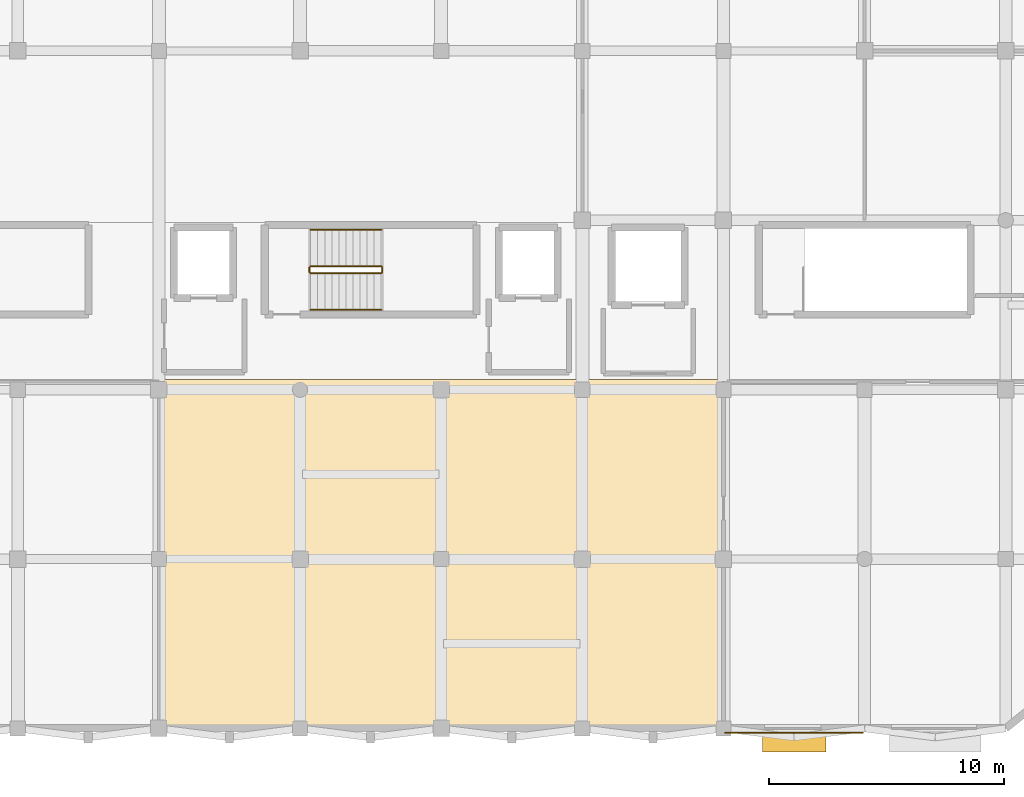
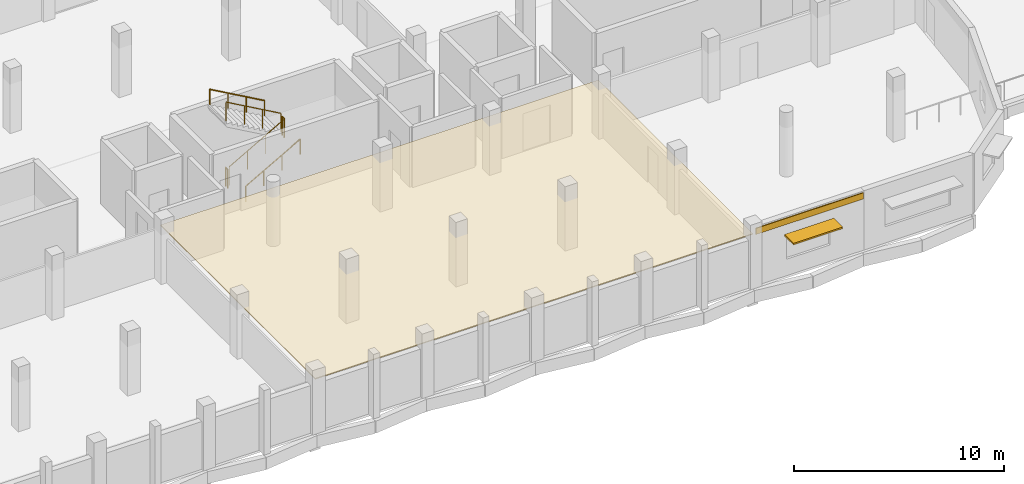
# One storey, part 234 of 239: 6 railings, 2 coverings, 1 shading device.
"""IFC4 building model written with IfcOpenShell, lengths in metres."""

from ifc_helpers import new_model, si_unit, direction, frame, origin, origin_2d, place, context, subcontext, project, spatial, polyline, rectangle, circle, outline, extrude, material, layer, layer_set, type_object, element, save


model = new_model("IFC4")

# Units and contexts
model_context = context("Model", 3, precision=1e-05, world=origin(), true_north=direction((0.0, 1.0)))
body_context = subcontext(model_context, "Body", "Model", "MODEL_VIEW")
ifc_project = project(units=[si_unit("LENGTHUNIT", "METRE"), si_unit("AREAUNIT", "SQUARE_METRE"), si_unit("VOLUMEUNIT", "CUBIC_METRE"), si_unit("PLANEANGLEUNIT", "RADIAN"), si_unit("MASSUNIT", "GRAM", prefix="KILO")], contexts=[model_context])

# Site, building, storey
site_placement = place(None, origin())
site = spatial("IfcSite", under=ifc_project, at=site_placement, CompositionType="ELEMENT")
building_placement = place(site_placement, origin())
building = spatial("IfcBuilding", under=site, at=building_placement, Name="Dunvalen Ferry Terminal", CompositionType="ELEMENT")
storey_placement = place(building_placement, frame((0.0, 0.0, 9.840087890625)))
storey = spatial("IfcBuildingStorey", under=building, at=storey_placement, Name="L02", CompositionType="ELEMENT", Elevation=9.840087890625)

# Covering
ifc_material_1 = material(Name="Anodised marine aluminium fascia cladding", Category="aluminium")
ifc_layer_1 = layer(ifc_material_1, 0.050048828125, Name="Anodised marine aluminium fascia cladding")
ifc_layer_set_1 = layer_set([ifc_layer_1], Name="Anodised marine aluminium fascia cladding")
covering_type_1 = type_object("IfcCoveringType", Name="ENV-COV-CLD01", PredefinedType="CLADDING", material=ifc_layer_set_1)
covering_1_placement = place(storey_placement, frame((63.0, -0.18408203125, 3.009765625), z_axis=(0.0, 0.0, 1.0), x_axis=(1.0, 0.0, 0.0)))
element("IfcCovering", 1, at=covering_1_placement, inside=storey, type_object=covering_type_1, Name="L02 Streamline Speed-Line Fascia Band 016", PredefinedType="CLADDING", context=body_context, shape_type="SweptSolid", body=[
    extrude(rectangle(XDim=5.89990234375, YDim=0.050048828125, at=origin_2d()), origin(), (0.0, 0.0, 1.0), 0.360107421875),
])

# Shading device
ifc_material_2 = material(Name="Anodised marine aluminium EN AW-6063 T6", Category="aluminium")
ifc_layer_2 = layer(ifc_material_2, 0.090087890625, Name="Anodised marine aluminium EN AW-6063 T6")
ifc_layer_set_2 = layer_set([ifc_layer_2], Name="Anodised marine aluminium EN AW-6063 T6")
shading_device_type = type_object("IfcShadingDeviceType", Name="ENV-SHD-AWN01", PredefinedType="AWNING", material=ifc_layer_set_2)
shading_device_placement = place(storey_placement, frame((63.0, -0.5810546875, 2.3349609375), z_axis=(0.0, 0.0, 1.0), x_axis=(1.0, 0.0, 0.0)))
element("IfcShadingDevice", 2, at=shading_device_placement, inside=storey, type_object=shading_device_type, Name="L02 Streamline Brise-Soleil Eyebrow 024", PredefinedType="AWNING", context=body_context, shape_type="SweptSolid", body=[
    extrude(rectangle(XDim=2.699951171875, YDim=0.85009765625, at=origin_2d()), origin(), (0.0, 0.0, 1.0), 0.090087890625),
])

# Covering
ifc_material_3 = material(Name="Moisture-resistant mineral-fibre acoustic ceiling", Category="gypsum")
ifc_layer_3 = layer(ifc_material_3, 0.050048828125, Name="Moisture-resistant mineral-fibre acoustic ceiling")
ifc_layer_set_3 = layer_set([ifc_layer_3], Name="Moisture-resistant mineral-fibre acoustic ceiling")
covering_type_2 = type_object("IfcCoveringType", Name="INT-COV-CLG02", PredefinedType="CEILING", material=ifc_layer_set_3)
covering_2_placement = place(storey_placement, frame((0.0, 0.0, 2.7998046875)))
element("IfcCovering", 3, at=covering_2_placement, inside=storey, type_object=covering_type_2, Name="L02 Port Authority Hydrographic and Planning Suite Acoustic Suspended Ceiling", PredefinedType="CEILING", context=body_context, shape_type="SweptSolid", body=[
    extrude(outline(polyline([(60.090087890625, 14.830078125), (36.070068359375, 14.830078125), (36.070068359375, 0.1298828125), (60.090087890625, 0.1298828125), (60.090087890625, 14.830078125)])), origin(), (0.0, 0.0, 1.0), 0.050048828125),
])

# Railings
ifc_material_4 = material(Name="Painted galvanised steel S275", Category="steel")
railing_type_1 = type_object("IfcRailingType", Name="INT-RL-STGRD", PredefinedType="GUARDRAIL", material=ifc_material_4)
railing_1_placement = place(storey_placement, frame((42.449951171875, 19.35009765625, 0.169921875)))
element("IfcRailing", 4, at=railing_1_placement, inside=storey, type_object=railing_type_1, Name="L02 ST2 stair guard 1", PredefinedType="GUARDRAIL", context=body_context, shape_type="SweptSolid", body=[
    extrude(circle(Radius=0.02392578125, at=origin_2d()), frame((0.0, 0.0, 1.076171875), z_axis=(0.870028259722, 0.0, 0.493001853226), x_axis=(0.0, 1.0, 0.0)), (0.0, 0.0, 1.0), 3.4482421875),
    extrude(circle(Radius=0.02099609375, at=origin_2d()), origin(), (0.0, 0.0, 1.0), 1.052001953125),
    extrude(circle(Radius=0.02099609375, at=origin_2d()), frame((1.0, 0.0, 0.566650390625)), (0.0, 0.0, 1.0), 1.052001953125),
    extrude(circle(Radius=0.02099609375, at=origin_2d()), frame((2.0, 0.0, 1.13330078125)), (0.0, 0.0, 1.0), 1.052001953125),
    extrude(circle(Radius=0.02099609375, at=origin_2d()), frame((3.0, 0.0, 1.699951171875)), (0.0, 0.0, 1.0), 1.052001953125),
])
railing_2_placement = place(storey_placement, frame((45.5, 19.39990234375, 1.869873046875)))
element("IfcRailing", 5, at=railing_2_placement, inside=storey, type_object=railing_type_1, Name="L02 ST2 stair guard 2", PredefinedType="GUARDRAIL", context=body_context, shape_type="SweptSolid", body=[
    extrude(circle(Radius=0.02392578125, at=origin_2d()), frame((0.0, 0.0, 1.076171875), z_axis=(0.0, 1.0, 0.0), x_axis=(-1.0, 0.0, 0.0)), (0.0, 0.0, 1.0), 0.2001953125),
    extrude(circle(Radius=0.02099609375, at=origin_2d()), origin(), (0.0, 0.0, 1.0), 1.052001953125),
    extrude(circle(Radius=0.02099609375, at=origin_2d()), frame((0.0, 0.2001953125, 0.0)), (0.0, 0.0, 1.0), 1.052001953125),
])
railing_3_placement = place(storey_placement, frame((45.449951171875, 19.64990234375, 2.039794921875)))
element("IfcRailing", 6, at=railing_3_placement, inside=storey, type_object=railing_type_1, Name="L02 ST2 stair guard 3", PredefinedType="GUARDRAIL", context=body_context, shape_type="SweptSolid", body=[
    extrude(circle(Radius=0.02392578125, at=origin_2d()), frame((0.0, 0.0, 1.076171875), z_axis=(-0.869997889882, 0.0, 0.493055444754), x_axis=(0.0, -1.0, 0.0)), (0.0, 0.0, 1.0), 3.4482421875),
    extrude(circle(Radius=0.02099609375, at=origin_2d()), origin(), (0.0, 0.0, 1.0), 1.052001953125),
    extrude(circle(Radius=0.02099609375, at=origin_2d()), frame((-1.0, 0.0, 0.566650390625)), (0.0, 0.0, 1.0), 1.052001953125),
    extrude(circle(Radius=0.02099609375, at=origin_2d()), frame((-2.0, 0.0, 1.133544921875)), (0.0, 0.0, 1.0), 1.052001953125),
    extrude(circle(Radius=0.02099609375, at=origin_2d()), frame((-3.0, 0.0, 1.7001953125)), (0.0, 0.0, 1.0), 1.052001953125),
])
railing_4_placement = place(storey_placement, frame((42.39990234375, 19.39990234375, 0.0)))
element("IfcRailing", 7, at=railing_4_placement, inside=storey, type_object=railing_type_1, Name="L02 ST2 stair guard 4", PredefinedType="GUARDRAIL", context=body_context, shape_type="SweptSolid", body=[
    extrude(circle(Radius=0.02392578125, at=origin_2d()), frame((0.0, 0.0, 1.076171875), z_axis=(0.0, 1.0, 0.0), x_axis=(-1.0, 0.0, 0.0)), (0.0, 0.0, 1.0), 0.2001953125),
    extrude(circle(Radius=0.02099609375, at=origin_2d()), origin(), (0.0, 0.0, 1.0), 1.052001953125),
    extrude(circle(Radius=0.02099609375, at=origin_2d()), frame((0.0, 0.2001953125, 0.0)), (0.0, 0.0, 1.0), 1.052001953125),
])
ifc_material_5 = material(Name="Brushed 316 stainless steel", Category="steel")
railing_type_2 = type_object("IfcRailingType", Name="INT-RL-STHND", PredefinedType="HANDRAIL", material=ifc_material_5)
railing_5_placement = place(storey_placement, frame((42.449951171875, 17.800048828125, 0.169921875)))
element("IfcRailing", 8, at=railing_5_placement, inside=storey, type_object=railing_type_2, Name="L02 ST2 stair handrail 1", PredefinedType="HANDRAIL", context=body_context, shape_type="SweptSolid", body=[
    extrude(circle(Radius=0.02392578125, at=origin_2d()), frame((0.0, 0.0, 0.8759765625), z_axis=(0.870028259722, 0.0, 0.493001853226), x_axis=(0.0, 1.0, 0.0)), (0.0, 0.0, 1.0), 3.4482421875),
    extrude(circle(Radius=0.02099609375, at=origin_2d()), origin(), (0.0, 0.0, 1.0), 0.851806640625),
    extrude(circle(Radius=0.02099609375, at=origin_2d()), frame((1.0, 0.0, 0.566650390625)), (0.0, 0.0, 1.0), 0.851806640625),
    extrude(circle(Radius=0.02099609375, at=origin_2d()), frame((2.0, 0.0, 1.13330078125)), (0.0, 0.0, 1.0), 0.851806640625),
    extrude(circle(Radius=0.02099609375, at=origin_2d()), frame((3.0, 0.0, 1.699951171875)), (0.0, 0.0, 1.0), 0.851806640625),
])
railing_6_placement = place(storey_placement, frame((45.449951171875, 21.199951171875, 2.039794921875)))
element("IfcRailing", 9, at=railing_6_placement, inside=storey, type_object=railing_type_2, Name="L02 ST2 stair handrail 2", PredefinedType="HANDRAIL", context=body_context, shape_type="SweptSolid", body=[
    extrude(circle(Radius=0.02392578125, at=origin_2d()), frame((0.0, 0.0, 0.8759765625), z_axis=(-0.869997889882, 0.0, 0.493055444754), x_axis=(0.0, -1.0, 0.0)), (0.0, 0.0, 1.0), 3.4482421875),
    extrude(circle(Radius=0.02099609375, at=origin_2d()), origin(), (0.0, 0.0, 1.0), 0.851806640625),
    extrude(circle(Radius=0.02099609375, at=origin_2d()), frame((-1.0, 0.0, 0.566650390625)), (0.0, 0.0, 1.0), 0.851806640625),
    extrude(circle(Radius=0.02099609375, at=origin_2d()), frame((-2.0, 0.0, 1.133544921875)), (0.0, 0.0, 1.0), 0.851806640625),
    extrude(circle(Radius=0.02099609375, at=origin_2d()), frame((-3.0, 0.0, 1.7001953125)), (0.0, 0.0, 1.0), 0.851806640625),
])

save(model, "model.ifc")
